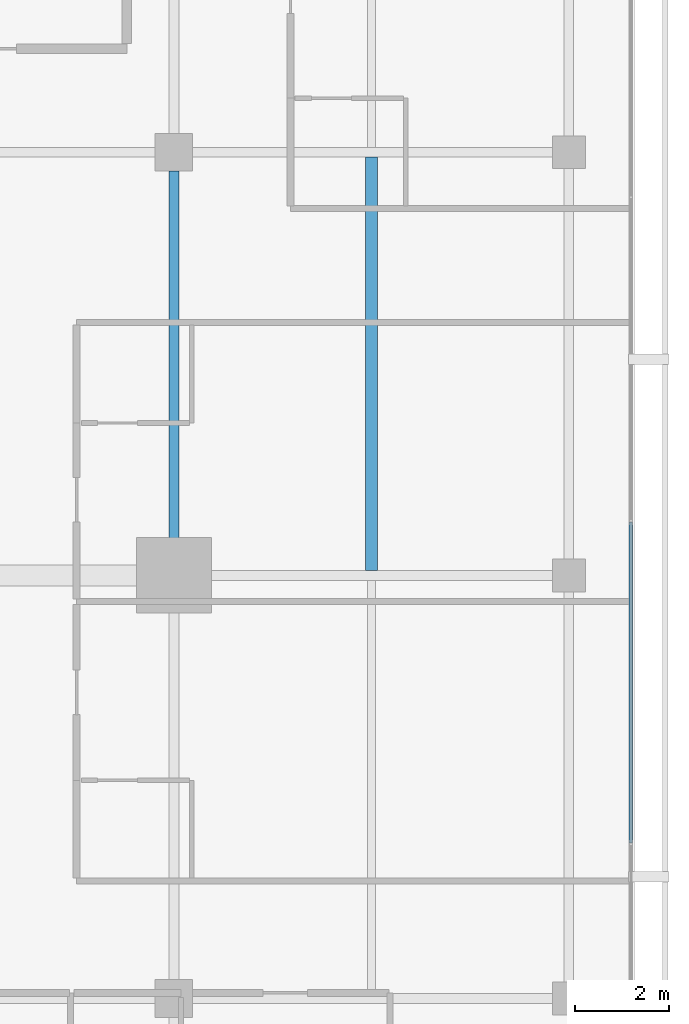
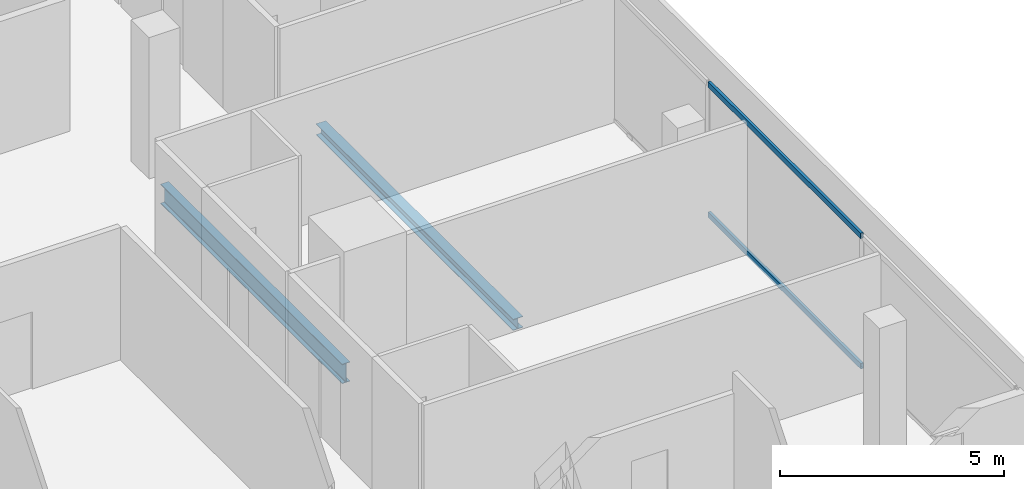
# One storey, part 13 of 26: 2 beams, 2 members, 1 element without a shape of its own.
"""IFC4 building model written with IfcOpenShell, lengths in metres."""

from ifc_helpers import new_model, si_unit, direction, frame, origin, origin_2d, place, context, subcontext, project, spatial, hollow_rectangle, i_section, extrude, material, layer, layer_set, material_profile, profile_set, type_object, element, aggregate, save


model = new_model("IFC4")

# Units and contexts
model_context = context("Model", 3, precision=1e-05, world=origin(), true_north=direction((0.0, 1.0)))
body_context = subcontext(model_context, "Body", "Model", "MODEL_VIEW")
ifc_project = project(units=[si_unit("LENGTHUNIT", "METRE"), si_unit("AREAUNIT", "SQUARE_METRE"), si_unit("VOLUMEUNIT", "CUBIC_METRE"), si_unit("PLANEANGLEUNIT", "RADIAN"), si_unit("MASSUNIT", "GRAM", prefix="KILO")], contexts=[model_context])

# Site, building, storey
site_placement = place(None, origin())
site = spatial("IfcSite", under=ifc_project, at=site_placement, CompositionType="ELEMENT")
building_placement = place(site_placement, origin())
building = spatial("IfcBuilding", under=site, at=building_placement, Name="Maruvema Waterfront Hotel and Observation Tower", CompositionType="ELEMENT")
storey_placement = place(building_placement, frame((0.0, 0.0, 266.35009765625)))
storey = spatial("IfcBuildingStorey", under=building, at=storey_placement, Name="L65", CompositionType="ELEMENT", Elevation=266.35009765625)

# Curtain wall, members
ifc_material_1 = material(Name="Anodised bronze aluminium and solar-control low-E IGU", Category="aluminium")
ifc_layer = layer(ifc_material_1, 0.159912109375, Name="Zone 3 Champagne Inner Thermal Curtain Wall System CW-04")
ifc_layer_set = layer_set([ifc_layer], Name="Anodised bronze aluminium and solar-control low-E IGU")
curtain_wall_type = type_object("IfcCurtainWallType", Name="Zone 3 Champagne Inner Thermal Curtain Wall System CW-04", PredefinedType="USERDEFINED", material=ifc_layer_set)
curtain_wall_placement = place(storey_placement, origin())
curtain_wall = element("IfcCurtainWall", 1, at=curtain_wall_placement, inside=storey, type_object=curtain_wall_type, Name="L65 Curtain Wall CW-L65-E", ObjectType="UNITISED CURTAIN WALL", PredefinedType="USERDEFINED")
ifc_material_2 = material(Name="Anodised architectural bronze aluminium", Category="aluminium")
ifc_material_profile_1 = material_profile(ifc_material_2, hollow_rectangle(XDim=0.070068359375, YDim=0.14990234375, WallThickness=0.00390625, at=origin_2d()), Name="ALU-T70x150")
ifc_profile_set_1 = profile_set([ifc_material_profile_1], Name="Anodised architectural bronze aluminium")
member_type = type_object("IfcMemberType", Name="Curtain Wall Horizontal Transom ALU-T70x150", PredefinedType="USERDEFINED", material=ifc_profile_set_1)
member_1_placement = place(storey_placement, frame((60.1201171875, 21.31005859375, 0.02978515625), z_axis=(0.0, 1.0, 0.0), x_axis=(-1.0, 0.0, 0.0)))
member_1 = element("IfcMember", 2, at=member_1_placement, type_object=member_type, Name="CW-04 transom 2.1", ObjectType="TRANSOM", PredefinedType="USERDEFINED", context=body_context, shape_type="SweptSolid", body=[
    extrude(hollow_rectangle(XDim=0.070068359375, YDim=0.14990234375, WallThickness=0.00390625, at=origin_2d()), origin(), (0.0, 0.0, 1.0), 6.81982421875),
])
member_2_placement = place(storey_placement, frame((60.1201171875, 21.31005859375, 3.579833984375), z_axis=(0.0, 1.0, 0.0), x_axis=(-1.0, 0.0, 0.0)))
member_2 = element("IfcMember", 3, at=member_2_placement, type_object=member_type, Name="CW-04 transom 2.2", ObjectType="TRANSOM", PredefinedType="USERDEFINED", context=body_context, shape_type="SweptSolid", body=[
    extrude(hollow_rectangle(XDim=0.070068359375, YDim=0.14990234375, WallThickness=0.00390625, at=origin_2d()), origin(), (0.0, 0.0, 1.0), 6.81982421875),
])
aggregate(curtain_wall, [member_1, member_2])

# Beams
ifc_material_3 = material(Name="Steel ASTM A572 Grade 50", Category="steel")
ifc_material_profile_2 = material_profile(ifc_material_3, i_section(OverallWidth=0.208984375, OverallDepth=0.532958984375, WebThickness=0.01025390625, FlangeThickness=0.015625, FilletRadius=0.014892578125, at=origin_2d()), Name="W530x92.0")
ifc_profile_set_2 = profile_set([ifc_material_profile_2], Name="Steel ASTM A572 Grade 50")
beam_type_1 = type_object("IfcBeamType", Name="Primary Floor Girder W530x92.0", PredefinedType="BEAM", material=ifc_profile_set_2)
beam_1_placement = place(storey_placement, frame((50.39990234375, 27.5, -0.506591796875), z_axis=(0.0, 1.0, 0.0), x_axis=(-1.0, 0.0, 0.0)))
element("IfcBeam", 4, at=beam_1_placement, inside=storey, type_object=beam_type_1, Name="L65 Floor Girder NS-14", PredefinedType="BEAM", context=body_context, shape_type="SweptSolid", body=[
    extrude(i_section(OverallWidth=0.208984375, OverallDepth=0.532958984375, WebThickness=0.01025390625, FlangeThickness=0.015625, FilletRadius=0.014892578125, at=origin_2d()), origin(), (0.0, 0.0, 1.0), 8.10009765625),
])
ifc_material_4 = material(Name="Steel ASTM A572 Grade 50", Category="steel")
ifc_material_profile_3 = material_profile(ifc_material_4, i_section(OverallWidth=0.25390625, OverallDepth=0.305908203125, WebThickness=0.0087890625, FlangeThickness=0.0146484375, FilletRadius=0.014892578125, at=origin_2d()), Name="W310x79.0")
ifc_profile_set_3 = profile_set([ifc_material_profile_3], Name="Steel ASTM A572 Grade 50")
beam_type_2 = type_object("IfcBeamType", Name="Secondary Floor Joist W310x79.0", PredefinedType="JOIST", material=ifc_profile_set_3)
beam_2_placement = place(storey_placement, frame((54.60009765625, 27.1044921875, -0.39306640625), z_axis=(0.0, 1.0, 0.0), x_axis=(-1.0, 0.0, 0.0)))
element("IfcBeam", 5, at=beam_2_placement, inside=storey, type_object=beam_type_2, Name="L65 Secondary Floor Joist JS-08", PredefinedType="JOIST", context=body_context, shape_type="SweptSolid", body=[
    extrude(i_section(OverallWidth=0.25390625, OverallDepth=0.305908203125, WebThickness=0.0087890625, FlangeThickness=0.0146484375, FilletRadius=0.014892578125, at=origin_2d()), origin(), (0.0, 0.0, 1.0), 8.791015625),
])

save(model, "model.ifc")
